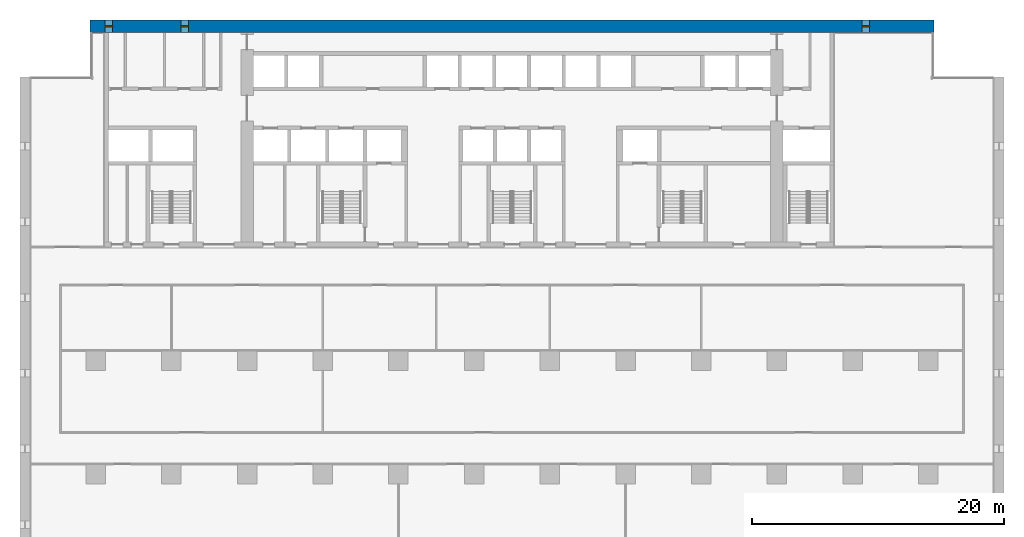
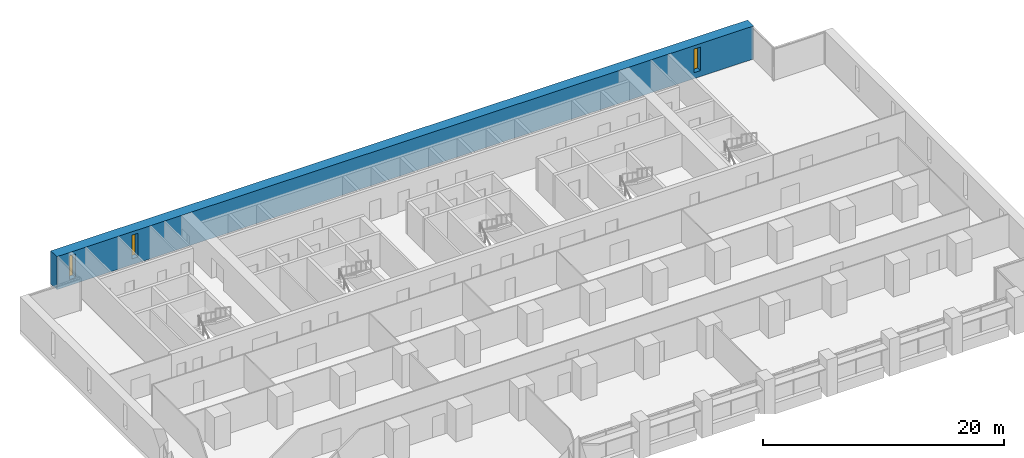
# One storey, part 12 of 17: 3 windows, 1 wall, 3 openings.
"""IFC4 building model written with IfcOpenShell, lengths in metres."""

from ifc_helpers import new_model, si_unit, direction, frame, frame_2d, origin, place, context, subcontext, project, spatial, rectangle, extrude, material, layer, layer_set, type_object, element, fill, save


model = new_model("IFC4")

# Units and contexts
model_context = context("Model", 3, precision=1e-05, world=origin(), true_north=direction((0.0, 1.0)))
body_context = subcontext(model_context, "Body", "Model", "MODEL_VIEW")
ifc_project = project(units=[si_unit("LENGTHUNIT", "METRE"), si_unit("AREAUNIT", "SQUARE_METRE"), si_unit("VOLUMEUNIT", "CUBIC_METRE"), si_unit("PLANEANGLEUNIT", "RADIAN"), si_unit("MASSUNIT", "GRAM", prefix="KILO")], contexts=[model_context])

# Site, building, storey
site_placement = place(None, origin())
site = spatial("IfcSite", under=ifc_project, at=site_placement, CompositionType="ELEMENT")
building_placement = place(site_placement, origin())
building = spatial("IfcBuilding", under=site, at=building_placement, Name="Calvaro Tower", CompositionType="ELEMENT")
storey_placement = place(building_placement, frame((0.0, 0.0, 71.25)))
storey = spatial("IfcBuildingStorey", under=building, at=storey_placement, Name="L17", CompositionType="ELEMENT", Elevation=71.25)

# Wall, openings, windows
ifc_material_1 = material(Name="Concrete C80/95", Category="concrete")
ifc_layer = layer(ifc_material_1, 1.0)
ifc_layer_set = layer_set([ifc_layer], Name="Concrete C80/95")
wall_type = type_object("IfcWallType", Name="Rear core wall 1000 C80/95", PredefinedType="SHEAR", material=ifc_layer_set)
wall_placement = place(storey_placement, frame((5.550048828125, 45.5, 0.0), z_axis=(0.0, 0.0, 1.0), x_axis=(1.0, 0.0, 0.0)))
wall = element("IfcWall", 1, at=wall_placement, inside=storey, type_object=wall_type, Name="North core wall", PredefinedType="SHEAR", context=body_context, shape_type="SweptSolid", body=[
    extrude(rectangle(XDim=66.89990234375, YDim=1.0, at=frame_2d((33.449951171875, 0.0))), origin(), (0.0, 0.0, 1.0), 3.35009765625),
])
opening_1_placement = place(wall_placement, frame((1.199951171875, 0.0, 0.60009765625)))
opening_1 = element("IfcOpeningElement", 2, at=opening_1_placement, cuts=wall, Name="Opening WN01", PredefinedType="OPENING", context=body_context, shape_type="SweptSolid", body=[
    extrude(rectangle(XDim=0.60009765625, YDim=2.39990234375, at=frame_2d((0.300048828125, 1.199951171875))), frame((0.0, 0.510009765625, 0.0), z_axis=(0.0, -1.0, 0.0), x_axis=(1.0, 0.0, 0.0)), (0.0, 0.0, 1.0), 1.02001953125),
])
opening_2_placement = place(wall_placement, frame((7.199951171875, 0.0, 0.60009765625)))
opening_2 = element("IfcOpeningElement", 3, at=opening_2_placement, cuts=wall, Name="Opening WN02", PredefinedType="OPENING", context=body_context, shape_type="SweptSolid", body=[
    extrude(rectangle(XDim=0.60009765625, YDim=2.39990234375, at=frame_2d((0.300048828125, 1.199951171875))), frame((0.0, 0.510009765625, 0.0), z_axis=(0.0, -1.0, 0.0), x_axis=(1.0, 0.0, 0.0)), (0.0, 0.0, 1.0), 1.02001953125),
])
opening_3_placement = place(wall_placement, frame((61.199951171875, 0.0, 0.60009765625)))
opening_3 = element("IfcOpeningElement", 4, at=opening_3_placement, cuts=wall, Name="Opening WN11", PredefinedType="OPENING", context=body_context, shape_type="SweptSolid", body=[
    extrude(rectangle(XDim=0.60009765625, YDim=2.39990234375, at=frame_2d((0.300048828125, 1.199951171875))), frame((0.0, 0.510009765625, 0.0), z_axis=(0.0, -1.0, 0.0), x_axis=(1.0, 0.0, 0.0)), (0.0, 0.0, 1.0), 1.02001953125),
])
ifc_material_2 = material(Name="Glass", Category="glass")
window_type = type_object("IfcWindowType", Name="Slit window 600 x 2400", PartitioningType="SINGLE_PANEL", PredefinedType="WINDOW", material=ifc_material_2)
window_1_placement = place(opening_1_placement, origin())
window_1 = element("IfcWindow", 5, at=window_1_placement, inside=storey, type_object=window_type, Name="Window WN01", OverallHeight=2.39990234375, OverallWidth=0.60009765625, PartitioningType="SINGLE_PANEL", PredefinedType="WINDOW", context=body_context, shape_type="SweptSolid", body=[
    extrude(rectangle(XDim=0.60009765625, YDim=2.39990234375, at=frame_2d((0.300048828125, 1.199951171875))), frame((0.0, 0.030029296875, 0.0), z_axis=(0.0, -1.0, 0.0), x_axis=(1.0, 0.0, 0.0)), (0.0, 0.0, 1.0), 0.06005859375),
])
fill(opening_1, window_1)
window_2_placement = place(opening_2_placement, origin())
window_2 = element("IfcWindow", 6, at=window_2_placement, inside=storey, type_object=window_type, Name="Window WN02", OverallHeight=2.39990234375, OverallWidth=0.60009765625, PartitioningType="SINGLE_PANEL", PredefinedType="WINDOW", context=body_context, shape_type="SweptSolid", body=[
    extrude(rectangle(XDim=0.60009765625, YDim=2.39990234375, at=frame_2d((0.300048828125, 1.199951171875))), frame((0.0, 0.030029296875, 0.0), z_axis=(0.0, -1.0, 0.0), x_axis=(1.0, 0.0, 0.0)), (0.0, 0.0, 1.0), 0.06005859375),
])
fill(opening_2, window_2)
window_3_placement = place(opening_3_placement, origin())
window_3 = element("IfcWindow", 7, at=window_3_placement, inside=storey, type_object=window_type, Name="Window WN11", OverallHeight=2.39990234375, OverallWidth=0.60009765625, PartitioningType="SINGLE_PANEL", PredefinedType="WINDOW", context=body_context, shape_type="SweptSolid", body=[
    extrude(rectangle(XDim=0.60009765625, YDim=2.39990234375, at=frame_2d((0.300048828125, 1.199951171875))), frame((0.0, 0.030029296875, 0.0), z_axis=(0.0, -1.0, 0.0), x_axis=(1.0, 0.0, 0.0)), (0.0, 0.0, 1.0), 0.06005859375),
])
fill(opening_3, window_3)

save(model, "model.ifc")
